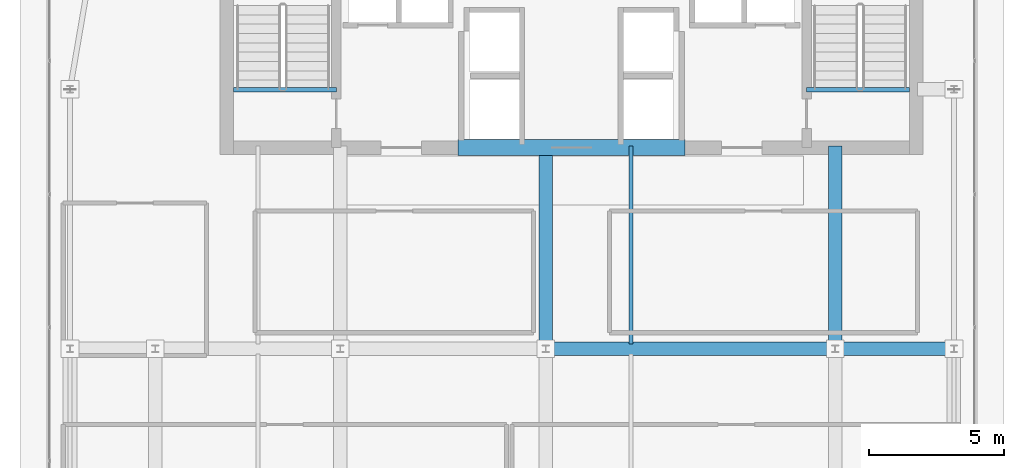
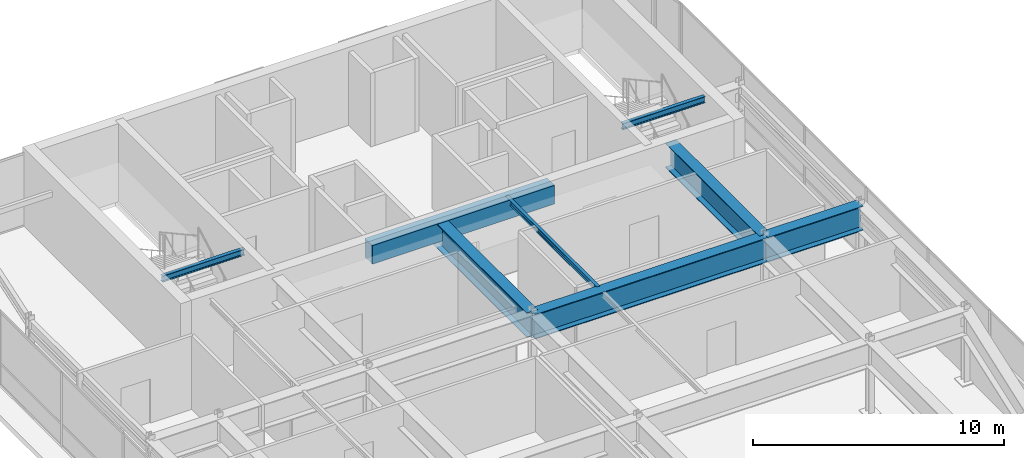
# One storey, part 18 of 35: 8 beams.
"""IFC4 building model written with IfcOpenShell, lengths in metres."""

import ifcopenshell
import ifcopenshell.guid

model = None  # the IFC model being written
_history = None  # IfcOwnerHistory: only IFC2X3 demands one
_inside = {}  # id of a spatial element -> (the spatial element, [elements in it])
_under = {}  # id of a project, library or spatial element -> (it, [spatial elements below it])
_declared = {}  # id of a project -> (the project, [libraries it declares])
_typed = {}  # id of a type object -> (the type object, [elements of that type])
_made_of = {}  # id of a material, layer set ... -> (it, [elements and type objects made of it])


def new_model(schema):
    """Start an empty IFC model of exactly this schema.

    Asked for "IFC4X3", IfcOpenShell would pick the latest addendum, in which some entities
    have other attributes; the version numbers below select the first issue.
    IFC2X3 requires an IfcOwnerHistory on every rooted entity: one is made here for all.
    """
    global model, _history
    if schema == "IFC4X3":
        model = ifcopenshell.file(schema_version=(4, 3, 0, 0))
    else:
        model = ifcopenshell.file(schema=schema)
    _inside.clear()
    _under.clear()
    _declared.clear()
    _typed.clear()
    _made_of.clear()
    _history = None
    if model.schema == "IFC2X3":
        org = make("IfcOrganization", Name="unknown")
        user = make(
            "IfcPersonAndOrganization",
            ThePerson=make("IfcPerson", FamilyName="unknown"),
            TheOrganization=org,
        )
        app = make(
            "IfcApplication",
            ApplicationDeveloper=org,
            Version="unknown",
            ApplicationFullName="unknown",
            ApplicationIdentifier="unknown",
        )
        _history = make(
            "IfcOwnerHistory",
            OwningUser=user,
            OwningApplication=app,
            ChangeAction="ADDED",
            CreationDate=0,
        )
    return model


def make(cls, **values):
    """One entity of the class cls with the attributes given. An attribute that is None is left unset."""
    return model.create_entity(
        cls, **{name: value for name, value in values.items() if value is not None}
    )


def rooted(cls, **values):
    """An entity with a GlobalId (a new one), such as an element, a storey or a relation."""
    return make(cls, GlobalId=ifcopenshell.guid.new(), OwnerHistory=_history, **values)


def si_unit(unit_type, name, prefix=None):
    """IfcSIUnit, for example si_unit("LENGTHUNIT", "METRE", prefix="MILLI")."""
    return make("IfcSIUnit", UnitType=unit_type, Prefix=prefix, Name=name)


def assignment(units):
    """IfcUnitAssignment: the units of a project."""
    return None if units is None else make("IfcUnitAssignment", Units=units)


def point(xyz):
    """IfcCartesianPoint."""
    return None if xyz is None else make("IfcCartesianPoint", Coordinates=xyz)


def direction(xyz):
    """IfcDirection."""
    return None if xyz is None else make("IfcDirection", DirectionRatios=xyz)


def frame(location, z_axis=None, x_axis=None):
    """IfcAxis2Placement3D, a coordinate frame: its origin and axes. An axis left out is left unset."""
    return make(
        "IfcAxis2Placement3D",
        Location=point(location),
        Axis=direction(z_axis),
        RefDirection=direction(x_axis),
    )


def frame_2d(location, x_axis=None):
    """IfcAxis2Placement2D, a coordinate frame in the plane: its origin and x axis."""
    return make(
        "IfcAxis2Placement2D", Location=point(location), RefDirection=direction(x_axis)
    )


def origin():
    """The frame at (0, 0, 0) with its axes left unset."""
    return frame((0.0, 0.0, 0.0))


def origin_2d():
    """The frame at (0, 0) in the plane with its x axis left unset."""
    return frame_2d((0.0, 0.0))


def place(relative_to, where):
    """IfcLocalPlacement: puts the frame where relative to a parent placement (None: the world)."""
    return make(
        "IfcLocalPlacement", PlacementRelTo=relative_to, RelativePlacement=where
    )


def context(
    kind, dimensions, precision=None, world=None, true_north=None, identifier=None
):
    """IfcGeometricRepresentationContext, for example the 3D "Model" context."""
    return make(
        "IfcGeometricRepresentationContext",
        ContextIdentifier=identifier,
        ContextType=kind,
        CoordinateSpaceDimension=dimensions,
        Precision=precision,
        WorldCoordinateSystem=world,
        TrueNorth=true_north,
    )


def subcontext(parent, identifier, kind, view, scale=None):
    """IfcGeometricRepresentationSubContext, for example "Body" below "Model"."""
    return make(
        "IfcGeometricRepresentationSubContext",
        ContextIdentifier=identifier,
        ContextType=kind,
        ParentContext=parent,
        TargetScale=scale,
        TargetView=view,
    )


def project(units=None, contexts=None):
    """IfcProject with its units and contexts."""
    return rooted(
        "IfcProject",
        Name="project",
        RepresentationContexts=contexts,
        UnitsInContext=assignment(units),
    )


def spatial(cls, under=None, at=None, **own):
    """A site, building, storey or space (cls), placed at a placement, below another one or the project."""
    s = rooted(cls, ObjectPlacement=at, **own)
    if under is not None:
        _under.setdefault(under.id(), (under, []))[1].append(s)
    return s


def profile(cls, at=None, kind="AREA", **sizes):
    """A parametric profile (cls). Its sizes go by their IFC names, for example OverallWidth=200.0."""
    return make(cls, ProfileType=kind, Position=at, **sizes)


def rectangle(**sizes):
    """IfcRectangleProfileDef."""
    return profile("IfcRectangleProfileDef", **sizes)


def i_section(**sizes):
    """IfcIShapeProfileDef."""
    return profile("IfcIShapeProfileDef", **sizes)


def extrude(swept, where, along, depth):
    """IfcExtrudedAreaSolid: the profile swept, set in the frame where, extruded along a direction by depth."""
    return make(
        "IfcExtrudedAreaSolid",
        SweptArea=swept,
        Position=where,
        ExtrudedDirection=direction(along),
        Depth=depth,
    )


def shape(context_of_items, identifier, shape_type, items):
    """IfcShapeRepresentation: the items that make up one representation, for example the "Body"."""
    return make(
        "IfcShapeRepresentation",
        ContextOfItems=context_of_items,
        RepresentationIdentifier=identifier,
        RepresentationType=shape_type,
        Items=items,
    )


def source(mapping_origin, context_of_items, identifier, shape_type, items):
    """IfcRepresentationMap: a shape defined once, which mapped items show again and again."""
    return make(
        "IfcRepresentationMap",
        MappingOrigin=mapping_origin,
        MappedRepresentation=shape(context_of_items, identifier, shape_type, items),
    )


def transform(
    local_origin,
    x_axis=None,
    y_axis=None,
    z_axis=None,
    scale=None,
    scale2=None,
    scale3=None,
    uniform=True,
):
    """IfcCartesianTransformationOperator3D, or its non-uniform kind. x_axis, y_axis, z_axis: its Axis1, 2, 3."""
    if uniform:
        return make(
            "IfcCartesianTransformationOperator3D",
            Axis1=direction(x_axis),
            Axis2=direction(y_axis),
            LocalOrigin=point(local_origin),
            Scale=scale,
            Axis3=direction(z_axis),
        )
    return make(
        "IfcCartesianTransformationOperator3DnonUniform",
        Axis1=direction(x_axis),
        Axis2=direction(y_axis),
        LocalOrigin=point(local_origin),
        Scale=scale,
        Axis3=direction(z_axis),
        Scale2=scale2,
        Scale3=scale3,
    )


def mapped(mapping_source, mapping_target):
    """IfcMappedItem: shows the shape of a source again, moved by a transform."""
    return make(
        "IfcMappedItem", MappingSource=mapping_source, MappingTarget=mapping_target
    )


def material(Name=None, Category=None):
    """IfcMaterial."""
    return make("IfcMaterial", Name=Name, Category=Category)


def material_profile(
    of_material, cross_section, Name=None, Category=None, Priority=None
):
    """IfcMaterialProfile: a cross section and its material."""
    return make(
        "IfcMaterialProfile",
        Name=Name,
        Material=of_material,
        Profile=cross_section,
        Priority=Priority,
        Category=Category,
    )


def profile_set(profiles, Name=None, composite=None):
    """IfcMaterialProfileSet."""
    return make(
        "IfcMaterialProfileSet",
        Name=Name,
        MaterialProfiles=profiles,
        CompositeProfile=composite,
    )


def made_of(thing, what):
    """Note that an element or type object is made of a material, layer set ...; save() writes the relation."""
    if what is not None:
        _made_of.setdefault(what.id(), (what, []))[1].append(thing)
    return thing


def type_object(cls, material=None, **own):
    """A type object (cls), such as IfcWallType, which elements share."""
    return made_of(rooted(cls, **own), material)


def type_shapes(of_type, sources):
    """Give a type object the sources (RepresentationMaps) that its elements show as mapped items."""
    of_type.RepresentationMaps = sources


def element(
    cls,
    number,
    at=None,
    inside=None,
    cuts=None,
    type_object=None,
    material=None,
    context=None,
    identifier="Body",
    shape_type=None,
    held_by="IfcProductDefinitionShape",
    body=None,
    shapes=None,
    **own,
):
    """One element of the class cls, such as IfcWall. Its Tag is "e" and its number.

    at: its placement. inside: the storey or other place that contains it. cuts: it is an
    opening in that element (IfcRelVoidsElement). A single representation is given by context,
    identifier, shape_type and body (its items); several are given by shapes. held_by: the class
    of the entity that holds the representations. save() writes the other relations.
    """
    e = rooted(cls, Tag="e%d" % number, ObjectPlacement=at, **own)
    if body is not None:
        shapes = [shape(context, identifier, shape_type, body)]
    if shapes is not None:
        e.Representation = make(held_by, Representations=shapes)
    if inside is not None:
        _inside.setdefault(inside.id(), (inside, []))[1].append(e)
    if cuts is not None:
        rooted(
            "IfcRelVoidsElement", RelatingBuildingElement=cuts, RelatedOpeningElement=e
        )
    if type_object is not None:
        _typed.setdefault(type_object.id(), (type_object, []))[1].append(e)
    return made_of(e, material)


def aggregate(whole, parts):
    """IfcRelAggregates: a whole, such as a stair, and the parts it consists of."""
    return rooted("IfcRelAggregates", RelatingObject=whole, RelatedObjects=parts)


def save(model, path):
    """Write the relations noted so far, then the file.

    IfcRelAggregates (storeys below a building ...), IfcRelContainedInSpatialStructure (elements
    in a storey), IfcRelDefinesByType, IfcRelAssociatesMaterial and IfcRelDeclares: one each for
    every whole, place, type object, material and project.
    """
    for whole, parts in _under.values():
        aggregate(whole, parts)
    for where, things in _inside.values():
        rooted(
            "IfcRelContainedInSpatialStructure",
            RelatedElements=things,
            RelatingStructure=where,
        )
    for kind, things in _typed.values():
        rooted("IfcRelDefinesByType", RelatedObjects=things, RelatingType=kind)
    for what, things in _made_of.values():
        rooted("IfcRelAssociatesMaterial", RelatedObjects=things, RelatingMaterial=what)
    for by, libraries in _declared.values():
        rooted("IfcRelDeclares", RelatingContext=by, RelatedDefinitions=libraries)
    model.write(path)


model = new_model("IFC4")

# Units and contexts
model_context = context("Model", 3, precision=1e-05, world=origin(), true_north=direction((0.0, 1.0)))
body_context = subcontext(model_context, "Body", "Model", "MODEL_VIEW")
ifc_project = project(units=[si_unit("LENGTHUNIT", "METRE"), si_unit("AREAUNIT", "SQUARE_METRE"), si_unit("VOLUMEUNIT", "CUBIC_METRE"), si_unit("PLANEANGLEUNIT", "RADIAN"), si_unit("MASSUNIT", "GRAM", prefix="KILO")], contexts=[model_context])

# Site, building, storey
site_placement = place(None, origin())
site = spatial("IfcSite", under=ifc_project, at=site_placement, CompositionType="ELEMENT")
building_placement = place(site_placement, origin())
building = spatial("IfcBuilding", under=site, at=building_placement, Name="Tolvann Quenvar Hotel", CompositionType="ELEMENT")
storey_placement = place(building_placement, frame((0.0, 0.0, 290.949951171875)))
storey = spatial("IfcBuildingStorey", under=building, at=storey_placement, Name="L77", CompositionType="ELEMENT", Elevation=290.949951171875)

# Beams
ifc_material_1 = material(Name="Concrete N50 (50 MPa)", Category="concrete")
ifc_material_profile_1 = material_profile(ifc_material_1, rectangle(XDim=0.60009765625, YDim=0.89990234375, at=origin_2d()), Name="RC600x900")
ifc_profile_set_1 = profile_set([ifc_material_profile_1], Name="Concrete N50 (50 MPa)")
beam_type_1 = type_object("IfcBeamType", Name="BM_LINT_RC600x900", PredefinedType="LINTEL", material=ifc_profile_set_1)
shared_shape_1 = source(origin(), body_context, "Body", "SweptSolid", [
    extrude(rectangle(XDim=0.60009765625, YDim=0.89990234375, at=origin_2d()), origin(), (0.0, 0.0, 1.0), 8.39990234375),
])
type_shapes(beam_type_1, [shared_shape_1])
beam_1_placement = place(storey_placement, frame((18.800048828125, 31.85009765625, 3.130126953125), z_axis=(1.0, 0.0, 0.0), x_axis=(0.0, 1.0, 0.0)))
element("IfcBeam", 1, at=beam_1_placement, inside=storey, type_object=beam_type_1, Name="Core Coupling Lintel Beam (L77)", PredefinedType="LINTEL", context=body_context, shape_type="MappedRepresentation", body=[
    mapped(shared_shape_1, transform((0.0, 0.0, 0.0), x_axis=(1.0, 0.0, 0.0), y_axis=(0.0, 1.0, 0.0), z_axis=(0.0, 0.0, 1.0), scale=1.0)),
])
ifc_material_2 = material(Name="Steel Grade 350", Category="steel")
ifc_material_profile_2 = material_profile(ifc_material_2, i_section(OverallWidth=0.5, OverallDepth=1.199951171875, WebThickness=0.01611328125, FlangeThickness=0.0400390625, at=origin_2d()), Name="1200WB455")
ifc_profile_set_2 = profile_set([ifc_material_profile_2], Name="Steel Grade 350")
beam_type_2 = type_object("IfcBeamType", Name="BM_TG_1200WB455", PredefinedType="USERDEFINED", material=ifc_profile_set_2)
shared_shape_2 = source(origin(), body_context, "Body", "SweptSolid", [
    extrude(i_section(OverallWidth=0.5, OverallDepth=1.199951171875, WebThickness=0.01611328125, FlangeThickness=0.0400390625, at=origin_2d()), origin(), (0.0, 0.0, 1.0), 7.5),
])
for number, where, z_axis, x_axis, name in (
    (2, (22.050048828125, 24.39990234375, 2.97998046875), (0.0, 1.0, 0.0), (-1.0, 0.0, 0.0), "BM-L77-CORE-E5"),
    (3, (32.75, 24.39990234375, 2.97998046875), (0.0, 1.0, 0.0), (-1.0, 0.0, 0.0), "BM-L77-CORE-FP5"),
):
    element("IfcBeam", number, at=place(storey_placement, frame(where, z_axis=z_axis, x_axis=x_axis)), inside=storey, type_object=beam_type_2, Name=name, ObjectType="TRANSFER GIRDER", PredefinedType="USERDEFINED", context=body_context, shape_type="MappedRepresentation", body=[
        mapped(shared_shape_2, transform((0.0, 0.0, 0.0), x_axis=(1.0, 0.0, 0.0), y_axis=(0.0, 1.0, 0.0), z_axis=(0.0, 0.0, 1.0), scale=1.0)),
    ])
ifc_material_profile_3 = material_profile(ifc_material_2, i_section(OverallWidth=0.166015625, OverallDepth=0.306884765625, WebThickness=0.006591796875, FlangeThickness=0.01171875, FilletRadius=0.011474609375, at=origin_2d()), Name="310UB46")
ifc_profile_set_3 = profile_set([ifc_material_profile_3], Name="Steel Grade 350")
beam_type_3 = type_object("IfcBeamType", Name="BM_JOIST_310UB46", PredefinedType="JOIST", material=ifc_profile_set_3)
shared_shape_3 = source(origin(), body_context, "Body", "SweptSolid", [
    extrude(i_section(OverallWidth=0.166015625, OverallDepth=0.306884765625, WebThickness=0.006591796875, FlangeThickness=0.01171875, FilletRadius=0.011474609375, at=origin_2d()), origin(), (0.0, 0.0, 1.0), 3.800048828125),
])
type_shapes(beam_type_3, [shared_shape_3])
for number, where, z_axis, x_axis, name in (
    (4, (10.5, 33.97998046875, 3.426513671875), (1.0, 0.0, 0.0), (0.0, 1.0, 0.0), "BM-HDR-STC1-L78"),
    (5, (31.699951171875, 33.97998046875, 3.426513671875), (1.0, 0.0, 0.0), (0.0, 1.0, 0.0), "BM-HDR-STC2-L78"),
):
    element("IfcBeam", number, at=place(storey_placement, frame(where, z_axis=z_axis, x_axis=x_axis)), inside=storey, type_object=beam_type_3, Name=name, PredefinedType="JOIST", context=body_context, shape_type="MappedRepresentation", body=[
        mapped(shared_shape_3, transform((0.0, 0.0, 0.0), x_axis=(1.0, 0.0, 0.0), y_axis=(0.0, 1.0, 0.0), z_axis=(0.0, 0.0, 1.0), scale=1.0)),
    ])
shared_shape_4 = source(origin(), body_context, "Body", "SweptSolid", [
    extrude(i_section(OverallWidth=0.5, OverallDepth=1.199951171875, WebThickness=0.01611328125, FlangeThickness=0.0400390625, at=origin_2d()), origin(), (0.0, 0.0, 1.0), 10.699951171875),
])
beam_2_placement = place(storey_placement, frame((22.050048828125, 24.39990234375, 2.97998046875), z_axis=(1.0, 0.0, 0.0), x_axis=(0.0, 1.0, 0.0)))
element("IfcBeam", 6, at=beam_2_placement, inside=storey, type_object=beam_type_2, Name="BM-L77-EW-5-E5-FP5", ObjectType="TRANSFER GIRDER", PredefinedType="USERDEFINED", context=body_context, shape_type="MappedRepresentation", body=[
    mapped(shared_shape_4, transform((0.0, 0.0, 0.0), x_axis=(1.0, 0.0, 0.0), y_axis=(0.0, 1.0, 0.0), z_axis=(0.0, 0.0, 1.0), scale=1.0)),
])
shared_shape_5 = source(origin(), body_context, "Body", "SweptSolid", [
    extrude(i_section(OverallWidth=0.5, OverallDepth=1.199951171875, WebThickness=0.01611328125, FlangeThickness=0.0400390625, at=origin_2d()), origin(), (0.0, 0.0, 1.0), 4.39990234375),
])
type_shapes(beam_type_2, [shared_shape_2, shared_shape_4, shared_shape_5])
beam_3_placement = place(storey_placement, frame((32.75, 24.39990234375, 2.97998046875), z_axis=(1.0, 0.0, 0.0), x_axis=(0.0, 1.0, 0.0)))
element("IfcBeam", 7, at=beam_3_placement, inside=storey, type_object=beam_type_2, Name="BM-L77-EW-5-FP5-G5", ObjectType="TRANSFER GIRDER", PredefinedType="USERDEFINED", context=body_context, shape_type="MappedRepresentation", body=[
    mapped(shared_shape_5, transform((0.0, 0.0, 0.0), x_axis=(1.0, 0.0, 0.0), y_axis=(0.0, 1.0, 0.0), z_axis=(0.0, 0.0, 1.0), scale=1.0)),
])
ifc_material_profile_4 = material_profile(ifc_material_2, i_section(OverallWidth=0.14599609375, OverallDepth=0.256103515625, WebThickness=0.00634765625, FlangeThickness=0.010986328125, FilletRadius=0.0087890625, at=origin_2d()), Name="250UB37")
ifc_profile_set_4 = profile_set([ifc_material_profile_4], Name="Steel Grade 350")
beam_type_4 = type_object("IfcBeamType", Name="BM_JOIST_250UB37", PredefinedType="JOIST", material=ifc_profile_set_4)
shared_shape_6 = source(origin(), body_context, "Body", "SweptSolid", [
    extrude(i_section(OverallWidth=0.14599609375, OverallDepth=0.256103515625, WebThickness=0.00634765625, FlangeThickness=0.010986328125, FilletRadius=0.0087890625, at=origin_2d()), origin(), (0.0, 0.0, 1.0), 7.31494140625),
])
type_shapes(beam_type_4, [shared_shape_6])
beam_4_placement = place(storey_placement, frame((25.199951171875, 24.5849609375, 3.4521484375), z_axis=(0.0, 1.0, 0.0), x_axis=(-1.0, 0.0, 0.0)))
element("IfcBeam", 8, at=beam_4_placement, inside=storey, type_object=beam_type_4, Name="BJ-L77-252-244", PredefinedType="JOIST", context=body_context, shape_type="MappedRepresentation", body=[
    mapped(shared_shape_6, transform((0.0, 0.0, 0.0), x_axis=(1.0, 0.0, 0.0), y_axis=(0.0, 1.0, 0.0), z_axis=(0.0, 0.0, 1.0), scale=1.0)),
])

save(model, "model.ifc")
